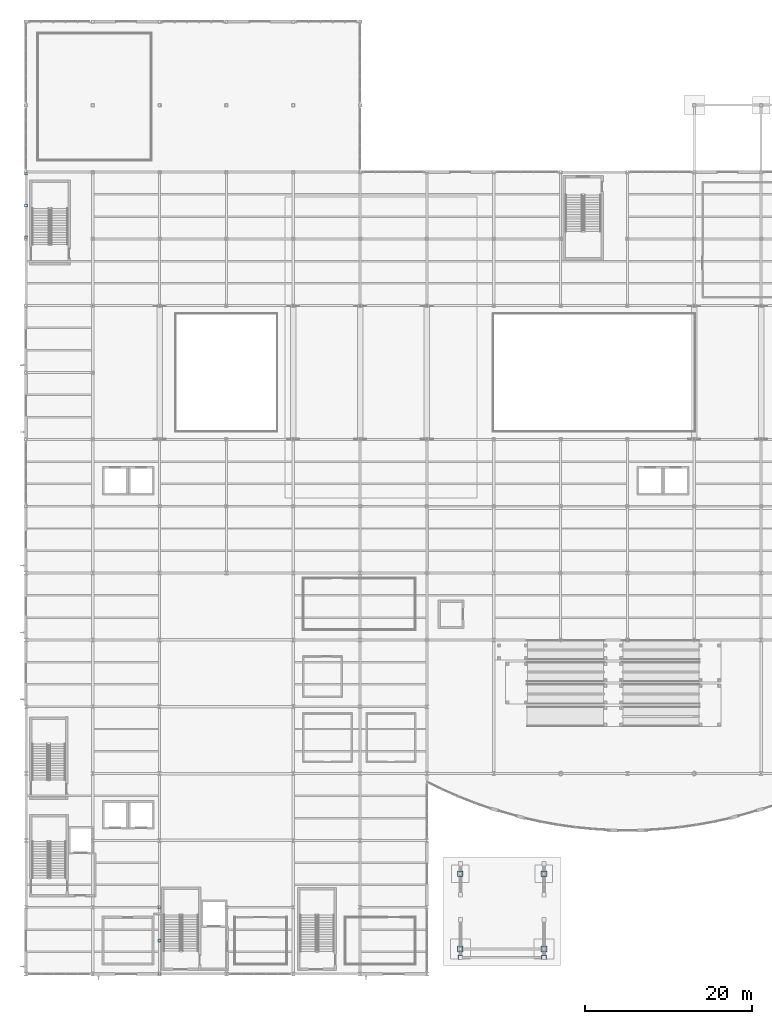
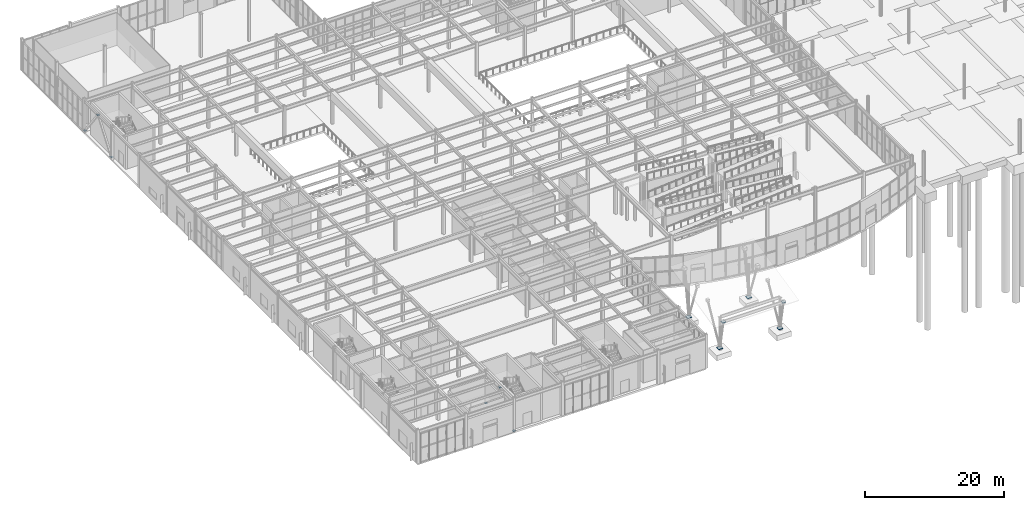
# One storey, part 56 of 82: 12 plates.
"""IFC4 building model written with IfcOpenShell, lengths in metres."""

import ifcopenshell
import ifcopenshell.guid

model = None  # the IFC model being written
_history = None  # IfcOwnerHistory: only IFC2X3 demands one
_inside = {}  # id of a spatial element -> (the spatial element, [elements in it])
_under = {}  # id of a project, library or spatial element -> (it, [spatial elements below it])
_declared = {}  # id of a project -> (the project, [libraries it declares])
_typed = {}  # id of a type object -> (the type object, [elements of that type])
_made_of = {}  # id of a material, layer set ... -> (it, [elements and type objects made of it])


def new_model(schema):
    """Start an empty IFC model of exactly this schema.

    Asked for "IFC4X3", IfcOpenShell would pick the latest addendum, in which some entities
    have other attributes; the version numbers below select the first issue.
    IFC2X3 requires an IfcOwnerHistory on every rooted entity: one is made here for all.
    """
    global model, _history
    if schema == "IFC4X3":
        model = ifcopenshell.file(schema_version=(4, 3, 0, 0))
    else:
        model = ifcopenshell.file(schema=schema)
    _inside.clear()
    _under.clear()
    _declared.clear()
    _typed.clear()
    _made_of.clear()
    _history = None
    if model.schema == "IFC2X3":
        org = make("IfcOrganization", Name="unknown")
        user = make(
            "IfcPersonAndOrganization",
            ThePerson=make("IfcPerson", FamilyName="unknown"),
            TheOrganization=org,
        )
        app = make(
            "IfcApplication",
            ApplicationDeveloper=org,
            Version="unknown",
            ApplicationFullName="unknown",
            ApplicationIdentifier="unknown",
        )
        _history = make(
            "IfcOwnerHistory",
            OwningUser=user,
            OwningApplication=app,
            ChangeAction="ADDED",
            CreationDate=0,
        )
    return model


def make(cls, **values):
    """One entity of the class cls with the attributes given. An attribute that is None is left unset."""
    return model.create_entity(
        cls, **{name: value for name, value in values.items() if value is not None}
    )


def rooted(cls, **values):
    """An entity with a GlobalId (a new one), such as an element, a storey or a relation."""
    return make(cls, GlobalId=ifcopenshell.guid.new(), OwnerHistory=_history, **values)


def si_unit(unit_type, name, prefix=None):
    """IfcSIUnit, for example si_unit("LENGTHUNIT", "METRE", prefix="MILLI")."""
    return make("IfcSIUnit", UnitType=unit_type, Prefix=prefix, Name=name)


def assignment(units):
    """IfcUnitAssignment: the units of a project."""
    return None if units is None else make("IfcUnitAssignment", Units=units)


def point(xyz):
    """IfcCartesianPoint."""
    return None if xyz is None else make("IfcCartesianPoint", Coordinates=xyz)


def direction(xyz):
    """IfcDirection."""
    return None if xyz is None else make("IfcDirection", DirectionRatios=xyz)


def frame(location, z_axis=None, x_axis=None):
    """IfcAxis2Placement3D, a coordinate frame: its origin and axes. An axis left out is left unset."""
    return make(
        "IfcAxis2Placement3D",
        Location=point(location),
        Axis=direction(z_axis),
        RefDirection=direction(x_axis),
    )


def frame_2d(location, x_axis=None):
    """IfcAxis2Placement2D, a coordinate frame in the plane: its origin and x axis."""
    return make(
        "IfcAxis2Placement2D", Location=point(location), RefDirection=direction(x_axis)
    )


def origin():
    """The frame at (0, 0, 0) with its axes left unset."""
    return frame((0.0, 0.0, 0.0))


def origin_2d():
    """The frame at (0, 0) in the plane with its x axis left unset."""
    return frame_2d((0.0, 0.0))


def place(relative_to, where):
    """IfcLocalPlacement: puts the frame where relative to a parent placement (None: the world)."""
    return make(
        "IfcLocalPlacement", PlacementRelTo=relative_to, RelativePlacement=where
    )


def context(
    kind, dimensions, precision=None, world=None, true_north=None, identifier=None
):
    """IfcGeometricRepresentationContext, for example the 3D "Model" context."""
    return make(
        "IfcGeometricRepresentationContext",
        ContextIdentifier=identifier,
        ContextType=kind,
        CoordinateSpaceDimension=dimensions,
        Precision=precision,
        WorldCoordinateSystem=world,
        TrueNorth=true_north,
    )


def subcontext(parent, identifier, kind, view, scale=None):
    """IfcGeometricRepresentationSubContext, for example "Body" below "Model"."""
    return make(
        "IfcGeometricRepresentationSubContext",
        ContextIdentifier=identifier,
        ContextType=kind,
        ParentContext=parent,
        TargetScale=scale,
        TargetView=view,
    )


def project(units=None, contexts=None):
    """IfcProject with its units and contexts."""
    return rooted(
        "IfcProject",
        Name="project",
        RepresentationContexts=contexts,
        UnitsInContext=assignment(units),
    )


def spatial(cls, under=None, at=None, **own):
    """A site, building, storey or space (cls), placed at a placement, below another one or the project."""
    s = rooted(cls, ObjectPlacement=at, **own)
    if under is not None:
        _under.setdefault(under.id(), (under, []))[1].append(s)
    return s


def profile(cls, at=None, kind="AREA", **sizes):
    """A parametric profile (cls). Its sizes go by their IFC names, for example OverallWidth=200.0."""
    return make(cls, ProfileType=kind, Position=at, **sizes)


def rectangle(**sizes):
    """IfcRectangleProfileDef."""
    return profile("IfcRectangleProfileDef", **sizes)


def extrude(swept, where, along, depth):
    """IfcExtrudedAreaSolid: the profile swept, set in the frame where, extruded along a direction by depth."""
    return make(
        "IfcExtrudedAreaSolid",
        SweptArea=swept,
        Position=where,
        ExtrudedDirection=direction(along),
        Depth=depth,
    )


def shape(context_of_items, identifier, shape_type, items):
    """IfcShapeRepresentation: the items that make up one representation, for example the "Body"."""
    return make(
        "IfcShapeRepresentation",
        ContextOfItems=context_of_items,
        RepresentationIdentifier=identifier,
        RepresentationType=shape_type,
        Items=items,
    )


def material(Name=None, Category=None):
    """IfcMaterial."""
    return make("IfcMaterial", Name=Name, Category=Category)


def layer(
    of_material, thickness, ventilated=None, Name=None, Category=None, Priority=None
):
    """IfcMaterialLayer: one layer of a wall or slab, of a material (None: an air gap)."""
    return make(
        "IfcMaterialLayer",
        Material=of_material,
        LayerThickness=thickness,
        IsVentilated=ventilated,
        Name=Name,
        Category=Category,
        Priority=Priority,
    )


def layer_set(layers, Name=None):
    """IfcMaterialLayerSet."""
    return make("IfcMaterialLayerSet", MaterialLayers=layers, LayerSetName=Name)


def made_of(thing, what):
    """Note that an element or type object is made of a material, layer set ...; save() writes the relation."""
    if what is not None:
        _made_of.setdefault(what.id(), (what, []))[1].append(thing)
    return thing


def type_object(cls, material=None, **own):
    """A type object (cls), such as IfcWallType, which elements share."""
    return made_of(rooted(cls, **own), material)


def element(
    cls,
    number,
    at=None,
    inside=None,
    cuts=None,
    type_object=None,
    material=None,
    context=None,
    identifier="Body",
    shape_type=None,
    held_by="IfcProductDefinitionShape",
    body=None,
    shapes=None,
    **own,
):
    """One element of the class cls, such as IfcWall. Its Tag is "e" and its number.

    at: its placement. inside: the storey or other place that contains it. cuts: it is an
    opening in that element (IfcRelVoidsElement). A single representation is given by context,
    identifier, shape_type and body (its items); several are given by shapes. held_by: the class
    of the entity that holds the representations. save() writes the other relations.
    """
    e = rooted(cls, Tag="e%d" % number, ObjectPlacement=at, **own)
    if body is not None:
        shapes = [shape(context, identifier, shape_type, body)]
    if shapes is not None:
        e.Representation = make(held_by, Representations=shapes)
    if inside is not None:
        _inside.setdefault(inside.id(), (inside, []))[1].append(e)
    if cuts is not None:
        rooted(
            "IfcRelVoidsElement", RelatingBuildingElement=cuts, RelatedOpeningElement=e
        )
    if type_object is not None:
        _typed.setdefault(type_object.id(), (type_object, []))[1].append(e)
    return made_of(e, material)


def aggregate(whole, parts):
    """IfcRelAggregates: a whole, such as a stair, and the parts it consists of."""
    return rooted("IfcRelAggregates", RelatingObject=whole, RelatedObjects=parts)


def save(model, path):
    """Write the relations noted so far, then the file.

    IfcRelAggregates (storeys below a building ...), IfcRelContainedInSpatialStructure (elements
    in a storey), IfcRelDefinesByType, IfcRelAssociatesMaterial and IfcRelDeclares: one each for
    every whole, place, type object, material and project.
    """
    for whole, parts in _under.values():
        aggregate(whole, parts)
    for where, things in _inside.values():
        rooted(
            "IfcRelContainedInSpatialStructure",
            RelatedElements=things,
            RelatingStructure=where,
        )
    for kind, things in _typed.values():
        rooted("IfcRelDefinesByType", RelatedObjects=things, RelatingType=kind)
    for what, things in _made_of.values():
        rooted("IfcRelAssociatesMaterial", RelatedObjects=things, RelatingMaterial=what)
    for by, libraries in _declared.values():
        rooted("IfcRelDeclares", RelatingContext=by, RelatedDefinitions=libraries)
    model.write(path)


model = new_model("IFC4")

# Units and contexts
model_context = context("Model", 3, precision=1e-05, world=origin(), true_north=direction((0.0, 1.0)))
body_context = subcontext(model_context, "Body", "Model", "MODEL_VIEW")
ifc_project = project(units=[si_unit("LENGTHUNIT", "METRE"), si_unit("AREAUNIT", "SQUARE_METRE"), si_unit("VOLUMEUNIT", "CUBIC_METRE"), si_unit("PLANEANGLEUNIT", "RADIAN"), si_unit("MASSUNIT", "GRAM", prefix="KILO")], contexts=[model_context])

# Site, building, storey
site_placement = place(None, origin())
site = spatial("IfcSite", under=ifc_project, at=site_placement, CompositionType="ELEMENT")
building_placement = place(site_placement, origin())
building = spatial("IfcBuilding", under=site, at=building_placement, Name="Drelvath Fold Interchange", CompositionType="ELEMENT")
storey_placement = place(building_placement, origin())
storey = spatial("IfcBuildingStorey", under=building, at=storey_placement, Name="L00", CompositionType="ELEMENT", Elevation=0.0)

# Plates
ifc_material = material(Name="Steel ASTM A572 Grade 50", Category="steel")
ifc_layer_1 = layer(ifc_material, 0.030029296875, Name="Steel ASTM A572 Grade 50")
ifc_layer_set_1 = layer_set([ifc_layer_1], Name="Steel ASTM A572 Grade 50")
plate_type_1 = type_object("IfcPlateType", Name="SN-04", PredefinedType="SHEET", material=ifc_layer_set_1)
for number, where, z_axis, x_axis, name in (
    (1, (20.0, 7.0, 5.35498046875), (0.0, 0.0, 1.0), (1.0, 0.0, 0.0), "Braced frame chevron apex gusset SN-04"),
    (2, (20.0, 3.0, 0.14501953125), (0.0, 0.0, 1.0), (1.0, 0.0, 0.0), "Braced frame column base gusset SN-04"),
    (3, (20.0, 11.0, 0.14501953125), (0.0, 0.0, 1.0), (1.0, 0.0, 0.0), "Braced frame column base gusset SN-04"),
    (4, (4.0, 95.0, 5.47607421875), (0.0, 0.0, 1.0), (1.0, 0.0, 0.0), "Braced frame chevron apex gusset SN-04"),
    (5, (4.0, 91.177978515625, 0.39306640625), (0.0, 0.0, 1.0), (1.0, 0.0, 0.0), "Braced frame column base gusset SN-04"),
    (6, (4.0, 98.822021484375, 0.39306640625), (0.0, 0.0, 1.0), (1.0, 0.0, 0.0), "Braced frame column base gusset SN-04"),
):
    element("IfcPlate", number, at=place(storey_placement, frame(where, z_axis=z_axis, x_axis=x_axis)), inside=storey, type_object=plate_type_1, Name=name, PredefinedType="SHEET", context=body_context, shape_type="SweptSolid", body=[
        extrude(rectangle(XDim=0.360107421875, YDim=0.360107421875, at=origin_2d()), origin(), (0.0, 0.0, 1.0), 0.030029296875),
    ])
ifc_layer_2 = layer(ifc_material, 0.090087890625, Name="Steel ASTM A572 Grade 50")
ifc_layer_set_2 = layer_set([ifc_layer_2], Name="Steel ASTM A572 Grade 50")
plate_type_2 = type_object("IfcPlateType", Name="VN-01", PredefinedType="USERDEFINED", material=ifc_layer_set_2)
for number, where, z_axis, x_axis, name in (
    (7, (56.0, 6.0, 0.19482421875), (0.0, 0.0, 1.0), (1.0, 0.0, 0.0), "Forecourt V-strut base node VN-01"),
    (8, (66.0, 6.0, 0.19482421875), (0.0, 0.0, 1.0), (1.0, 0.0, 0.0), "Forecourt V-strut base node VN-01"),
    (9, (56.0, 15.0, 0.19482421875), (0.0, 0.0, 1.0), (1.0, 0.0, 0.0), "Forecourt V-strut base node VN-01"),
    (10, (66.0, 15.0, 0.19482421875), (0.0, 0.0, 1.0), (1.0, 0.0, 0.0), "Forecourt V-strut base node VN-01"),
):
    element("IfcPlate", number, at=place(storey_placement, frame(where, z_axis=z_axis, x_axis=x_axis)), inside=storey, type_object=plate_type_2, Name=name, ObjectType="GUSSET PLATE", PredefinedType="USERDEFINED", context=body_context, shape_type="SweptSolid", body=[
        extrude(rectangle(XDim=0.679931640625, YDim=0.679931640625, at=origin_2d()), origin(), (0.0, 0.0, 1.0), 0.090087890625),
    ])
ifc_layer_3 = layer(ifc_material, 0.070068359375, Name="Steel ASTM A572 Grade 50")
ifc_layer_set_3 = layer_set([ifc_layer_3], Name="Steel ASTM A572 Grade 50")
plate_type_3 = type_object("IfcPlateType", Name="VN-02", PredefinedType="USERDEFINED", material=ifc_layer_set_3)
for number, where, z_axis, x_axis, name in (
    (11, (56.0, 5.0, 5.4228515625), (0.0, 0.0, 1.0), (1.0, 0.0, 0.0), "Forecourt V-strut head node VN-02"),
    (12, (66.0, 5.0, 5.4228515625), (0.0, 0.0, 1.0), (1.0, 0.0, 0.0), "Forecourt V-strut head node VN-02"),
):
    element("IfcPlate", number, at=place(storey_placement, frame(where, z_axis=z_axis, x_axis=x_axis)), inside=storey, type_object=plate_type_3, Name=name, ObjectType="GUSSET PLATE", PredefinedType="USERDEFINED", context=body_context, shape_type="SweptSolid", body=[
        extrude(rectangle(XDim=0.56005859375, YDim=0.56005859375, at=origin_2d()), origin(), (0.0, 0.0, 1.0), 0.070068359375),
    ])

save(model, "model.ifc")
